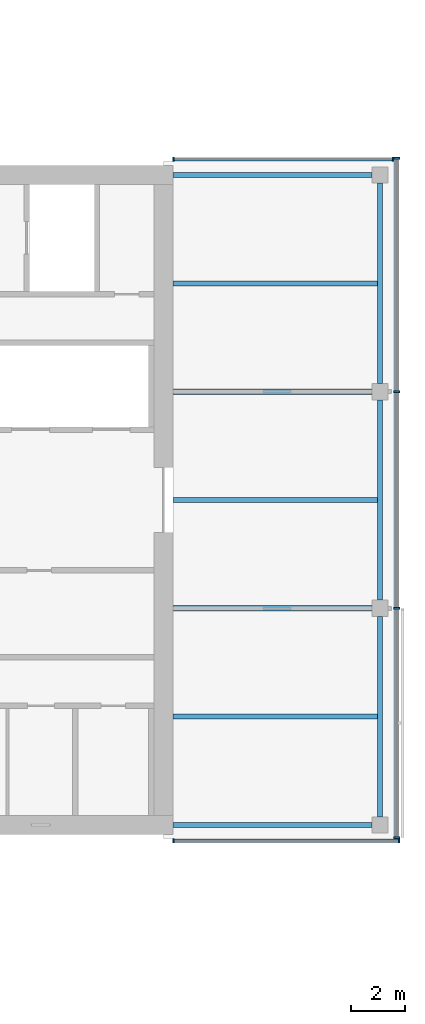
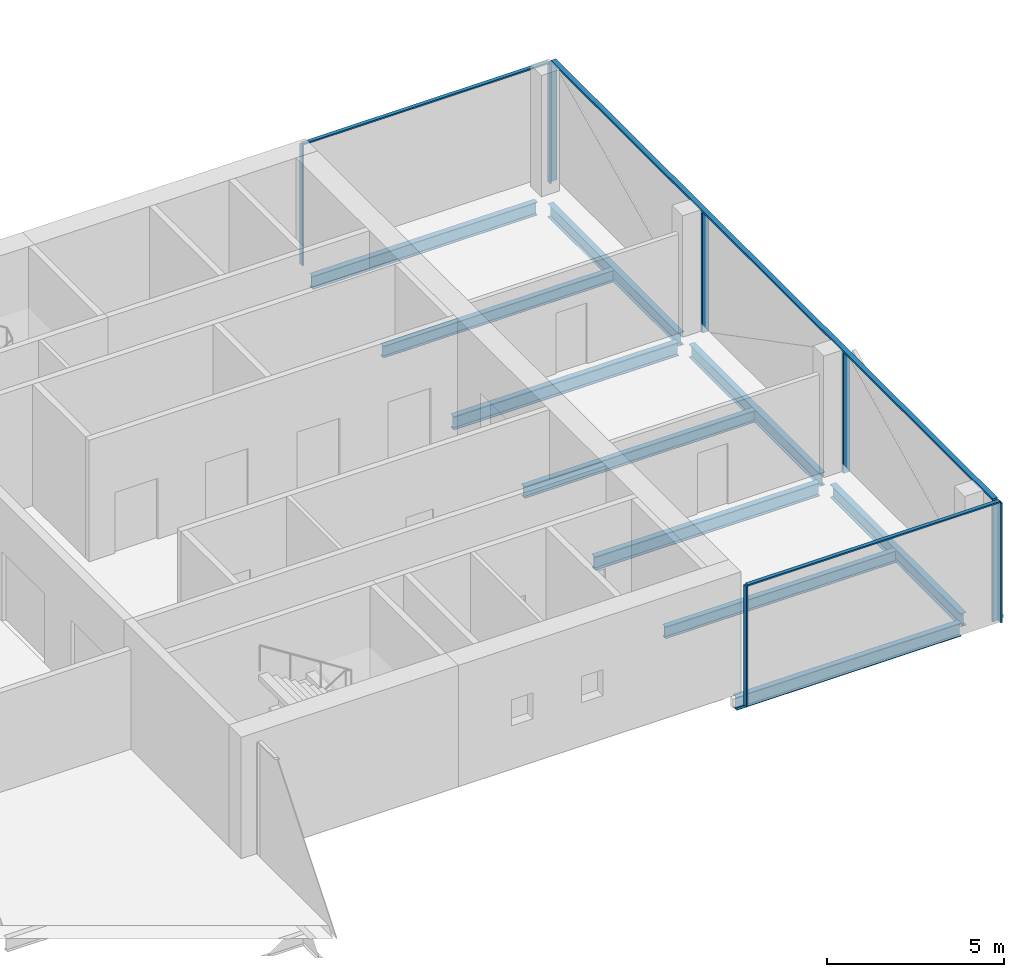
# One storey, part 11 of 22: 11 members, 10 beams, 3 elements without a shape of their own.
"""IFC4 building model written with IfcOpenShell, lengths in metres."""

from ifc_helpers import new_model, si_unit, direction, frame, origin, origin_2d, place, context, subcontext, project, spatial, rectangle, i_section, extrude, material, material_profile, profile_set, type_object, element, aggregate, save


model = new_model("IFC4")

# Units and contexts
model_context = context("Model", 3, precision=1e-05, world=origin(), true_north=direction((0.0, 1.0)))
body_context = subcontext(model_context, "Body", "Model", "MODEL_VIEW")
ifc_project = project(units=[si_unit("LENGTHUNIT", "METRE"), si_unit("AREAUNIT", "SQUARE_METRE"), si_unit("VOLUMEUNIT", "CUBIC_METRE"), si_unit("PLANEANGLEUNIT", "RADIAN"), si_unit("MASSUNIT", "GRAM", prefix="KILO")], contexts=[model_context])

# Site, building, storey
site_placement = place(None, origin())
site = spatial("IfcSite", under=ifc_project, at=site_placement, CompositionType="ELEMENT")
building_placement = place(site_placement, origin())
building = spatial("IfcBuilding", under=site, at=building_placement, Name="Crosswind Convention Tower", CompositionType="ELEMENT")
storey_placement = place(building_placement, frame((0.0, 0.0, 146.300048828125)))
storey = spatial("IfcBuildingStorey", under=building, at=storey_placement, Name="L30", CompositionType="ELEMENT", Elevation=146.300048828125)

# Beams
ifc_material_1 = material(Name="Steel S355", Category="steel")
ifc_material_profile_1 = material_profile(ifc_material_1, i_section(OverallWidth=0.18994140625, OverallDepth=0.45361328125, WebThickness=0.008544921875, FlangeThickness=0.0126953125, FilletRadius=0.01025390625, at=origin_2d()), Name="UB 457x191x67")
ifc_profile_set_1 = profile_set([ifc_material_profile_1], Name="Steel S355")
beam_type_1 = type_object("IfcBeamType", Name="Edge beam UB 457x191x67", PredefinedType="SPANDREL", material=ifc_profile_set_1)
for number, where, z_axis, x_axis, name in (
    (1, (153.35009765625, 88.0, -0.52685546875), (1.0, 0.0, 0.0), (0.0, 1.0, 0.0), "B16 L30 edge beam 20"),
    (2, (153.35009765625, 112.0, -0.52685546875), (1.0, 0.0, 0.0), (0.0, 1.0, 0.0), "B16 L30 edge beam 21"),
):
    element("IfcBeam", number, at=place(storey_placement, frame(where, z_axis=z_axis, x_axis=x_axis)), inside=storey, type_object=beam_type_1, Name=name, PredefinedType="SPANDREL", context=body_context, shape_type="SweptSolid", body=[
        extrude(i_section(OverallWidth=0.18994140625, OverallDepth=0.45361328125, WebThickness=0.008544921875, FlangeThickness=0.0126953125, FilletRadius=0.01025390625, at=origin_2d()), origin(), (0.0, 0.0, 1.0), 7.349853515625),
    ])
for number, where, z_axis, x_axis, name in (
    (3, (161.0, 88.300048828125, -0.52685546875), (0.0, 1.0, 0.0), (-1.0, 0.0, 0.0), "B16 L30 edge beam 22"),
    (4, (161.0, 96.300048828125, -0.52685546875), (0.0, 1.0, 0.0), (-1.0, 0.0, 0.0), "B16 L30 edge beam 23"),
    (5, (161.0, 104.300048828125, -0.52685546875), (0.0, 1.0, 0.0), (-1.0, 0.0, 0.0), "B16 L30 edge beam 24"),
):
    element("IfcBeam", number, at=place(storey_placement, frame(where, z_axis=z_axis, x_axis=x_axis)), inside=storey, type_object=beam_type_1, Name=name, PredefinedType="SPANDREL", context=body_context, shape_type="SweptSolid", body=[
        extrude(i_section(OverallWidth=0.18994140625, OverallDepth=0.45361328125, WebThickness=0.008544921875, FlangeThickness=0.0126953125, FilletRadius=0.01025390625, at=origin_2d()), origin(), (0.0, 0.0, 1.0), 7.39990234375),
    ])
ifc_material_profile_2 = material_profile(ifc_material_1, i_section(OverallWidth=0.19189453125, OverallDepth=0.463623046875, WebThickness=0.010498046875, FlangeThickness=0.017578125, FilletRadius=0.01025390625, at=origin_2d()), Name="UB 457x191x90")
ifc_profile_set_2 = profile_set([ifc_material_profile_2], Name="Steel S355")
beam_type_2 = type_object("IfcBeamType", Name="Girder at core wall UB 457x191x90", PredefinedType="BEAM", material=ifc_profile_set_2)
for number, where, z_axis, x_axis, name in (
    (6, (153.35009765625, 96.0, -0.53173828125), (1.0, 0.0, 0.0), (0.0, 1.0, 0.0), "B24 L30 girder at core wall 11"),
    (7, (153.35009765625, 104.0, -0.53173828125), (1.0, 0.0, 0.0), (0.0, 1.0, 0.0), "B24 L30 girder at core wall 12"),
):
    element("IfcBeam", number, at=place(storey_placement, frame(where, z_axis=z_axis, x_axis=x_axis)), inside=storey, type_object=beam_type_2, Name=name, PredefinedType="BEAM", context=body_context, shape_type="SweptSolid", body=[
        extrude(i_section(OverallWidth=0.19189453125, OverallDepth=0.463623046875, WebThickness=0.010498046875, FlangeThickness=0.017578125, FilletRadius=0.01025390625, at=origin_2d()), origin(), (0.0, 0.0, 1.0), 7.349853515625),
    ])

# Curtain wall, members
ifc_material_2 = material(Name="Aluminium unitised curtain wall", Category="aluminium")
curtain_wall_type_1 = type_object("IfcCurtainWallType", Name="CORE END SLOT WALL 160", PredefinedType="USERDEFINED", material=ifc_material_2)
curtain_wall_1_placement = place(storey_placement, origin())
curtain_wall_1 = element("IfcCurtainWall", 8, at=curtain_wall_1_placement, inside=storey, type_object=curtain_wall_type_1, Name="CW6 L30 E-N.1-1 slot", ObjectType="UNITISED", PredefinedType="USERDEFINED")
ifc_material_3 = material(Name="Aluminium mullion", Category="aluminium")
ifc_material_profile_3 = material_profile(ifc_material_3, rectangle(XDim=0.159912109375, YDim=0.050048828125, at=origin_2d()), Name="AL 160X50")
ifc_profile_set_3 = profile_set([ifc_material_profile_3], Name="Aluminium mullion")
member_type_1 = type_object("IfcMemberType", Name="MULLION 50X160", PredefinedType="MULLION", material=ifc_profile_set_3)
member_1_placement = place(storey_placement, frame((161.47509765625, 112.580078125, -0.300048828125), z_axis=(0.0, 0.0, 1.0), x_axis=(0.0, 1.0, 0.0)))
member_1 = element("IfcMember", 9, at=member_1_placement, type_object=member_type_1, Name="CW6 mullion 1", PredefinedType="MULLION", context=body_context, shape_type="SweptSolid", body=[
    extrude(rectangle(XDim=0.159912109375, YDim=0.050048828125, at=origin_2d()), origin(), (0.0, 0.0, 1.0), 4.14990234375),
])
member_2_placement = place(storey_placement, frame((153.375, 112.580078125, -0.300048828125), z_axis=(0.0, 0.0, 1.0), x_axis=(0.0, 1.0, 0.0)))
member_2 = element("IfcMember", 10, at=member_2_placement, type_object=member_type_1, Name="CW6 mullion 2", PredefinedType="MULLION", context=body_context, shape_type="SweptSolid", body=[
    extrude(rectangle(XDim=0.159912109375, YDim=0.050048828125, at=origin_2d()), origin(), (0.0, 0.0, 1.0), 4.14990234375),
])

curtain_wall_2_placement = place(storey_placement, origin())
curtain_wall_2 = element("IfcCurtainWall", 11, at=curtain_wall_2_placement, inside=storey, type_object=curtain_wall_type_1, Name="CW6 L30 E-S.2-1 slot", ObjectType="UNITISED", PredefinedType="USERDEFINED")
member_3_placement = place(storey_placement, frame((153.375, 87.419921875, -0.300048828125), z_axis=(0.0, 0.0, 1.0), x_axis=(0.0, -1.0, 0.0)))
member_3 = element("IfcMember", 12, at=member_3_placement, type_object=member_type_1, Name="CW6 mullion 1", PredefinedType="MULLION", context=body_context, shape_type="SweptSolid", body=[
    extrude(rectangle(XDim=0.159912109375, YDim=0.050048828125, at=origin_2d()), origin(), (0.0, 0.0, 1.0), 4.14990234375),
])
member_4_placement = place(storey_placement, frame((161.695068359375, 87.419921875, -0.300048828125), z_axis=(0.0, 0.0, 1.0), x_axis=(0.0, -1.0, 0.0)))
member_4 = element("IfcMember", 13, at=member_4_placement, type_object=member_type_1, Name="CW6 mullion 2", PredefinedType="MULLION", context=body_context, shape_type="SweptSolid", body=[
    extrude(rectangle(XDim=0.159912109375, YDim=0.050048828125, at=origin_2d()), origin(), (0.0, 0.0, 1.0), 4.14990234375),
])

curtain_wall_type_2 = type_object("IfcCurtainWallType", Name="OFFICE UNITISED WALL 220", PredefinedType="USERDEFINED", material=ifc_material_2)
curtain_wall_3_placement = place(storey_placement, origin())
curtain_wall_3 = element("IfcCurtainWall", 14, at=curtain_wall_3_placement, inside=storey, type_object=curtain_wall_type_2, Name="CW3 L30 E-TIP 1", ObjectType="UNITISED", PredefinedType="USERDEFINED")
ifc_material_profile_4 = material_profile(ifc_material_3, rectangle(XDim=0.219970703125, YDim=0.070068359375, at=origin_2d()), Name="AL 220X70")
ifc_profile_set_4 = profile_set([ifc_material_profile_4], Name="Aluminium mullion")
member_type_2 = type_object("IfcMemberType", Name="MULLION 70X220", PredefinedType="MULLION", material=ifc_profile_set_4)
member_5_placement = place(storey_placement, frame((161.610107421875, 87.534912109375, -0.300048828125), z_axis=(0.0, 0.0, 1.0), x_axis=(1.0, 0.0, 0.0)))
member_5 = element("IfcMember", 15, at=member_5_placement, type_object=member_type_2, Name="CW3 mullion 1", PredefinedType="MULLION", context=body_context, shape_type="SweptSolid", body=[
    extrude(rectangle(XDim=0.219970703125, YDim=0.070068359375, at=origin_2d()), origin(), (0.0, 0.0, 1.0), 4.1298828125),
])
member_6_placement = place(storey_placement, frame((161.610107421875, 96.0, -0.300048828125), z_axis=(0.0, 0.0, 1.0), x_axis=(1.0, 0.0, 0.0)))
member_6 = element("IfcMember", 16, at=member_6_placement, type_object=member_type_2, Name="CW3 mullion 2", PredefinedType="MULLION", context=body_context, shape_type="SweptSolid", body=[
    extrude(rectangle(XDim=0.219970703125, YDim=0.070068359375, at=origin_2d()), origin(), (0.0, 0.0, 1.0), 4.1298828125),
])
member_7_placement = place(storey_placement, frame((161.610107421875, 104.0, -0.300048828125), z_axis=(0.0, 0.0, 1.0), x_axis=(1.0, 0.0, 0.0)))
member_7 = element("IfcMember", 17, at=member_7_placement, type_object=member_type_2, Name="CW3 mullion 3", PredefinedType="MULLION", context=body_context, shape_type="SweptSolid", body=[
    extrude(rectangle(XDim=0.219970703125, YDim=0.070068359375, at=origin_2d()), origin(), (0.0, 0.0, 1.0), 4.1298828125),
])
member_8_placement = place(storey_placement, frame((161.610107421875, 112.625, -0.300048828125), z_axis=(0.0, 0.0, 1.0), x_axis=(1.0, 0.0, 0.0)))
member_8 = element("IfcMember", 18, at=member_8_placement, type_object=member_type_2, Name="CW3 mullion 4", PredefinedType="MULLION", context=body_context, shape_type="SweptSolid", body=[
    extrude(rectangle(XDim=0.219970703125, YDim=0.070068359375, at=origin_2d()), origin(), (0.0, 0.0, 1.0), 4.1298828125),
])

# Beams
ifc_material_profile_5 = material_profile(ifc_material_1, i_section(OverallWidth=0.177734375, OverallDepth=0.406494140625, WebThickness=0.0078125, FlangeThickness=0.0126953125, FilletRadius=0.01025390625, at=origin_2d()), Name="UB 406x178x60")
ifc_profile_set_5 = profile_set([ifc_material_profile_5], Name="Steel S355")
beam_type_3 = type_object("IfcBeamType", Name="Secondary beam UB 406x178x60", PredefinedType="JOIST", material=ifc_profile_set_5)
for number, where, z_axis, x_axis, name in (
    (19, (153.35009765625, 92.0, -0.503173828125), (1.0, 0.0, 0.0), (0.0, 1.0, 0.0), "B10 L30 secondary beam 25"),
    (20, (153.35009765625, 100.0, -0.503173828125), (1.0, 0.0, 0.0), (0.0, 1.0, 0.0), "B10 L30 secondary beam 26"),
    (21, (153.35009765625, 108.0, -0.503173828125), (1.0, 0.0, 0.0), (0.0, 1.0, 0.0), "B10 L30 secondary beam 27"),
):
    element("IfcBeam", number, at=place(storey_placement, frame(where, z_axis=z_axis, x_axis=x_axis)), inside=storey, type_object=beam_type_3, Name=name, PredefinedType="JOIST", context=body_context, shape_type="SweptSolid", body=[
        extrude(i_section(OverallWidth=0.177734375, OverallDepth=0.406494140625, WebThickness=0.0078125, FlangeThickness=0.0126953125, FilletRadius=0.01025390625, at=origin_2d()), origin(), (0.0, 0.0, 1.0), 7.554931640625),
    ])

# Member
ifc_material_4 = material(Name="Aluminium transom", Category="aluminium")
ifc_material_profile_6 = material_profile(ifc_material_4, rectangle(XDim=0.1201171875, YDim=0.050048828125, at=origin_2d()), Name="AL 120X50")
ifc_profile_set_6 = profile_set([ifc_material_profile_6], Name="Aluminium transom")
member_type_3 = type_object("IfcMemberType", Name="TRANSOM 50X120", PredefinedType="USERDEFINED", material=ifc_profile_set_6)
member_9_placement = place(storey_placement, frame((161.449951171875, 112.580078125, 3.875), z_axis=(-1.0, 0.0, 0.0), x_axis=(0.0, -1.0, 0.0)))
member_9 = element("IfcMember", 22, at=member_9_placement, type_object=member_type_3, Name="CW6 transom", ObjectType="TRANSOM", PredefinedType="USERDEFINED", context=body_context, shape_type="SweptSolid", body=[
    extrude(rectangle(XDim=0.1201171875, YDim=0.050048828125, at=origin_2d()), origin(), (0.0, 0.0, 1.0), 8.050048828125),
])

aggregate(curtain_wall_1, [member_1, member_2, member_9])

member_10_placement = place(storey_placement, frame((153.39990234375, 87.419921875, 3.875), z_axis=(1.0, 0.0, 0.0), x_axis=(0.0, 1.0, 0.0)))
member_10 = element("IfcMember", 23, at=member_10_placement, type_object=member_type_3, Name="CW6 transom", ObjectType="TRANSOM", PredefinedType="USERDEFINED", context=body_context, shape_type="SweptSolid", body=[
    extrude(rectangle(XDim=0.1201171875, YDim=0.050048828125, at=origin_2d()), origin(), (0.0, 0.0, 1.0), 8.27001953125),
])

aggregate(curtain_wall_2, [member_3, member_4, member_10])

ifc_material_profile_7 = material_profile(ifc_material_4, rectangle(XDim=0.159912109375, YDim=0.070068359375, at=origin_2d()), Name="AL 160X70")
ifc_profile_set_7 = profile_set([ifc_material_profile_7], Name="Aluminium transom")
member_type_4 = type_object("IfcMemberType", Name="TRANSOM 70X160", PredefinedType="USERDEFINED", material=ifc_profile_set_7)
member_11_placement = place(storey_placement, frame((161.610107421875, 87.570068359375, 3.864990234375), z_axis=(0.0, 1.0, 0.0), x_axis=(-1.0, 0.0, 0.0)))
member_11 = element("IfcMember", 24, at=member_11_placement, type_object=member_type_4, Name="CW3 transom", ObjectType="TRANSOM", PredefinedType="USERDEFINED", context=body_context, shape_type="SweptSolid", body=[
    extrude(rectangle(XDim=0.159912109375, YDim=0.070068359375, at=origin_2d()), origin(), (0.0, 0.0, 1.0), 25.02001953125),
])

aggregate(curtain_wall_3, [member_5, member_6, member_7, member_8, member_11])

save(model, "model.ifc")
